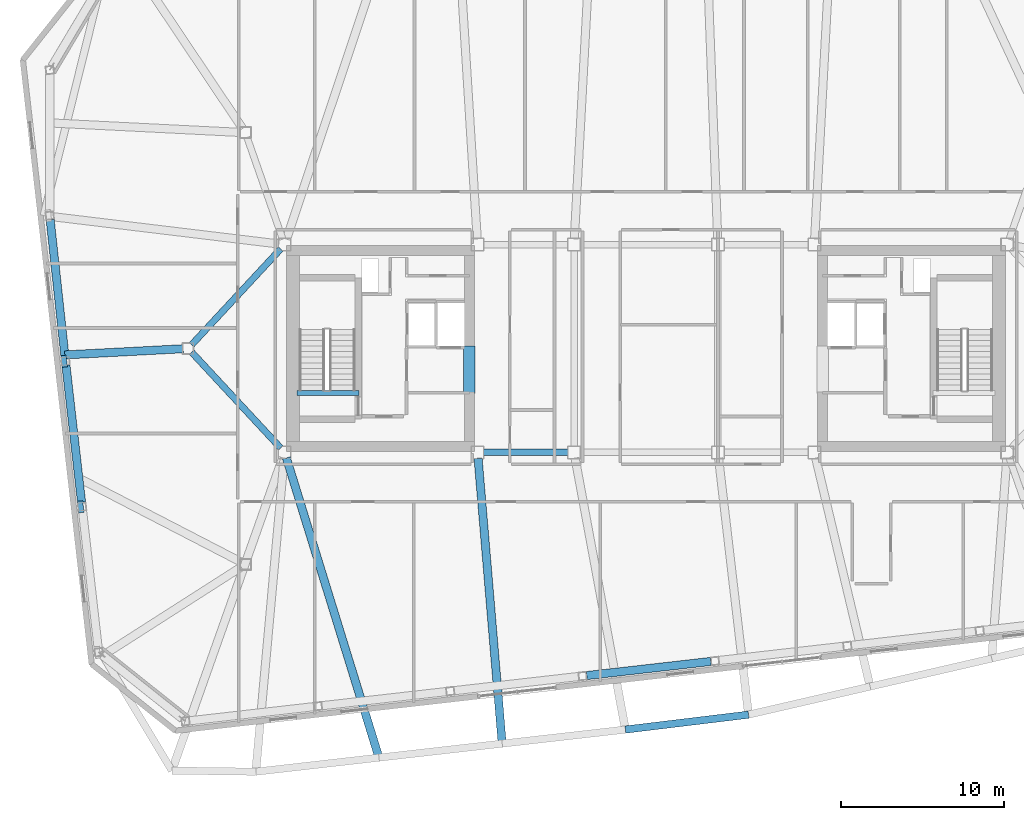
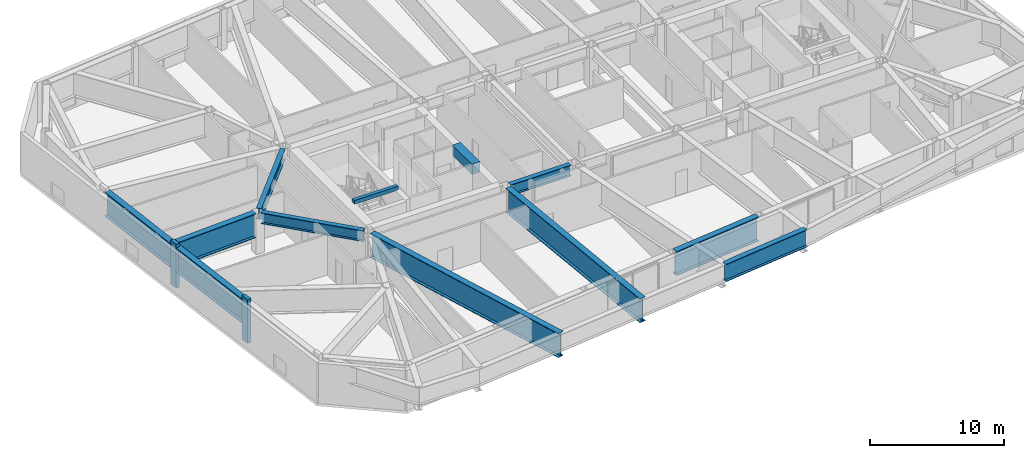
# One storey, part 5 of 18: 12 beams, 2 members.
"""IFC4 building model written with IfcOpenShell, lengths in metres."""

from ifc_helpers import new_model, si_unit, direction, frame, origin, origin_2d, place, context, subcontext, project, spatial, rectangle, i_section, extrude, material, material_profile, profile_set, type_object, element, save


model = new_model("IFC4")

# Units and contexts
model_context = context("Model", 3, precision=1e-05, world=origin(), true_north=direction((0.0, 1.0)))
body_context = subcontext(model_context, "Body", "Model", "MODEL_VIEW")
ifc_project = project(units=[si_unit("LENGTHUNIT", "METRE"), si_unit("AREAUNIT", "SQUARE_METRE"), si_unit("VOLUMEUNIT", "CUBIC_METRE"), si_unit("PLANEANGLEUNIT", "RADIAN"), si_unit("MASSUNIT", "GRAM", prefix="KILO")], contexts=[model_context])

# Site, building, storey
site_placement = place(None, origin())
site = spatial("IfcSite", under=ifc_project, at=site_placement, CompositionType="ELEMENT")
building_placement = place(site_placement, origin())
building = spatial("IfcBuilding", under=site, at=building_placement, Name="Tavrogorsk Clinical Tower", CompositionType="ELEMENT")
storey_placement = place(building_placement, frame((0.0, 0.0, 267.0)))
storey = spatial("IfcBuildingStorey", under=building, at=storey_placement, Name="L62", CompositionType="ELEMENT", Elevation=267.0)

# Beam
ifc_material_1 = material(Name="Concrete B80", Category="concrete")
ifc_material_profile_1 = material_profile(ifc_material_1, rectangle(XDim=0.699951171875, YDim=0.949951171875, at=origin_2d()), Name="RC-CB-700x950")
ifc_profile_set_1 = profile_set([ifc_material_profile_1], Name="Concrete B80")
beam_type_1 = type_object("IfcBeamType", Name="CouplingBeam_RC700x950", PredefinedType="LINTEL", material=ifc_profile_set_1)
beam_1_placement = place(storey_placement, frame((-10.800048828125, -2.75, 3.205078125), z_axis=(0.0, 1.0, 0.0), x_axis=(-1.0, 0.0, 0.0)))
element("IfcBeam", 1, at=beam_1_placement, inside=storey, type_object=beam_type_1, Name="L62 Core West Coupling Beam", PredefinedType="LINTEL", context=body_context, shape_type="SweptSolid", body=[
    extrude(rectangle(XDim=0.699951171875, YDim=0.949951171875, at=origin_2d()), origin(), (0.0, 0.0, 1.0), 2.89990234375),
])

# Members
ifc_material_2 = material(Name="Precast concrete B45 with limestone cladding", Category="masonry")
ifc_material_profile_2 = material_profile(ifc_material_2, rectangle(XDim=0.320068359375, YDim=0.719970703125, at=origin_2d()), Name="LIMESTONE-FIN-320x720")
ifc_profile_set_2 = profile_set([ifc_material_profile_2], Name="Precast concrete B45 with limestone cladding")
member_type = type_object("IfcMemberType", Name="LimestonePleatFin_320x720", PredefinedType="USERDEFINED", material=ifc_profile_set_2)
for number, where, z_axis, x_axis, name in (
    (2, (-35.585205078125, -0.781005859375, 0.0), (0.0, 0.0, 1.0), (0.993571855677, 0.113203213768, 0.0), "L62 W Pleated Stone Fin 2"),
    (3, (-34.571044921875, -9.683349609375, 0.0), (0.0, 0.0, 1.0), (0.993571855677, 0.113203213768, 0.0), "L62 W Pleated Stone Fin 3"),
):
    element("IfcMember", number, at=place(storey_placement, frame(where, z_axis=z_axis, x_axis=x_axis)), inside=storey, type_object=member_type, Name=name, ObjectType="FIN", PredefinedType="USERDEFINED", context=body_context, shape_type="SweptSolid", body=[
        extrude(rectangle(XDim=0.320068359375, YDim=0.719970703125, at=origin_2d()), origin(), (0.0, 0.0, 1.0), 4.0),
    ])

# Beams
ifc_material_3 = material(Name="Concrete B60", Category="concrete")
ifc_material_profile_3 = material_profile(ifc_material_3, rectangle(XDim=0.300048828125, YDim=0.35009765625, at=origin_2d()), Name="RC-SHB-300x350")
ifc_profile_set_3 = profile_set([ifc_material_profile_3], Name="Concrete B60")
beam_type_2 = type_object("IfcBeamType", Name="StairHeaderBeam_RC300x350", PredefinedType="BEAM", material=ifc_profile_set_3)
beam_2_placement = place(storey_placement, frame((-21.35009765625, -2.719970703125, 3.824951171875), z_axis=(1.0, 0.0, 0.0), x_axis=(0.0, 1.0, 0.0)))
element("IfcBeam", 4, at=beam_2_placement, inside=storey, type_object=beam_type_2, Name="L63 ST-W Landing Header Beam", PredefinedType="BEAM", context=body_context, shape_type="SweptSolid", body=[
    extrude(rectangle(XDim=0.300048828125, YDim=0.35009765625, at=origin_2d()), origin(), (0.0, 0.0, 1.0), 3.800048828125),
])
ifc_material_4 = material(Name="Structural steel S440", Category="steel")
ifc_material_profile_4 = material_profile(ifc_material_4, i_section(OverallWidth=0.39990234375, OverallDepth=1.0, WebThickness=0.028076171875, FlangeThickness=0.044921875, at=origin_2d()), Name="DK-1000x400x28x45")
ifc_profile_set_4 = profile_set([ifc_material_profile_4], Name="Structural steel S440")
beam_type_3 = type_object("IfcBeamType", Name="TransferGirder_DK1000", PredefinedType="USERDEFINED", material=ifc_profile_set_4)
beam_3_placement = place(storey_placement, frame((-9.93994140625, -6.35009765625, 3.179931640625), z_axis=(1.0, 0.0, 0.0), x_axis=(0.0, 1.0, 0.0)))
element("IfcBeam", 5, at=beam_3_placement, inside=storey, type_object=beam_type_3, Name="L62 Primary Spine Girder MG-01", ObjectType="GIRDER", PredefinedType="USERDEFINED", context=body_context, shape_type="SweptSolid", body=[
    extrude(i_section(OverallWidth=0.39990234375, OverallDepth=1.0, WebThickness=0.028076171875, FlangeThickness=0.044921875, at=origin_2d()), origin(), (0.0, 0.0, 1.0), 5.179931640625),
])
for number, where, z_axis, x_axis, name in (
    (6, (-27.7890625, -0.22705078125, 3.179931640625), (0.680684060959, -0.732577101168, 0.0), (0.732577101168, 0.680684060959, 0.0), "L62 Spine Link Girder OPG-5"),
    (7, (-27.7890625, 0.22705078125, 3.179931640625), (0.680684060959, 0.732577101168, 0.0), (-0.732577101168, 0.680684060959, 0.0), "L62 Spine Link Girder OPG-6"),
):
    element("IfcBeam", number, at=place(storey_placement, frame(where, z_axis=z_axis, x_axis=x_axis)), inside=storey, type_object=beam_type_3, Name=name, ObjectType="GIRDER", PredefinedType="USERDEFINED", context=body_context, shape_type="SweptSolid", body=[
        extrude(i_section(OverallWidth=0.39990234375, OverallDepth=1.0, WebThickness=0.028076171875, FlangeThickness=0.044921875, at=origin_2d()), origin(), (0.0, 0.0, 1.0), 7.998046875),
    ])
ifc_material_5 = material(Name="Structural steel S440", Category="steel")
ifc_material_profile_5 = material_profile(ifc_material_5, i_section(OverallWidth=0.449951171875, OverallDepth=1.60009765625, WebThickness=0.031982421875, FlangeThickness=0.050048828125, at=origin_2d()), Name="DK-1600x450x32x50")
ifc_profile_set_5 = profile_set([ifc_material_profile_5], Name="Structural steel S440")
beam_type_4 = type_object("IfcBeamType", Name="TransferGirder_DK1600", PredefinedType="USERDEFINED", material=ifc_profile_set_5)
beam_4_placement = place(storey_placement, frame((-1.257568359375, -23.309814453125, 2.8798828125), z_axis=(0.992732500379, 0.120341940699, 0.0), x_axis=(-0.120341940699, 0.992732500379, 0.0)))
element("IfcBeam", 8, at=beam_4_placement, inside=storey, type_object=beam_type_4, Name="L63 Transfer Edge Girder S4-S5", ObjectType="GIRDER", PredefinedType="USERDEFINED", context=body_context, shape_type="SweptSolid", body=[
    extrude(i_section(OverallWidth=0.449951171875, OverallDepth=1.60009765625, WebThickness=0.031982421875, FlangeThickness=0.050048828125, at=origin_2d()), origin(), (0.0, 0.0, 1.0), 7.58544921875),
])
ifc_material_6 = material(Name="Structural steel S440", Category="steel")
ifc_material_profile_6 = material_profile(ifc_material_6, i_section(OverallWidth=0.5, OverallDepth=2.199951171875, WebThickness=0.035888671875, FlangeThickness=0.054931640625, at=origin_2d()), Name="DK-2200x500x36x55")
ifc_profile_set_6 = profile_set([ifc_material_profile_6], Name="Structural steel S440")
beam_type_5 = type_object("IfcBeamType", Name="TransferGirder_DK2200", PredefinedType="USERDEFINED", material=ifc_profile_set_6)
beam_5_placement = place(storey_placement, frame((-3.619873046875, -20.006103515625, 2.580078125), z_axis=(0.993568911788, 0.113229048956, 0.0), x_axis=(-0.113229048956, 0.993568911788, 0.0)))
element("IfcBeam", 9, at=beam_5_placement, inside=storey, type_object=beam_type_5, Name="L62 Perimeter Spandrel S4-S5", ObjectType="GIRDER", PredefinedType="USERDEFINED", context=body_context, shape_type="SweptSolid", body=[
    extrude(i_section(OverallWidth=0.5, OverallDepth=2.199951171875, WebThickness=0.035888671875, FlangeThickness=0.054931640625, at=origin_2d()), origin(), (0.0, 0.0, 1.0), 7.6328125),
])
beam_6_placement = place(storey_placement, frame((-36.442138671875, 7.8740234375, 2.580078125), z_axis=(0.107655746314, -0.994188231818, 0.0), x_axis=(0.994188231818, 0.107655746314, 0.0)))
element("IfcBeam", 10, at=beam_6_placement, inside=storey, type_object=beam_type_5, Name="L62 Perimeter Spandrel W2-W3", ObjectType="GIRDER", PredefinedType="USERDEFINED", context=body_context, shape_type="SweptSolid", body=[
    extrude(i_section(OverallWidth=0.5, OverallDepth=2.199951171875, WebThickness=0.035888671875, FlangeThickness=0.054931640625, at=origin_2d()), origin(), (0.0, 0.0, 1.0), 8.4384765625),
])
beam_7_placement = place(storey_placement, frame((-35.4765625, -1.0283203125, 2.580078125), z_axis=(0.113195129234, -0.99357277676, 0.0), x_axis=(0.99357277676, 0.113195129234, 0.0)))
element("IfcBeam", 11, at=beam_7_placement, inside=storey, type_object=beam_type_5, Name="L62 Perimeter Spandrel W3-W4", ObjectType="GIRDER", PredefinedType="USERDEFINED", context=body_context, shape_type="SweptSolid", body=[
    extrude(i_section(OverallWidth=0.5, OverallDepth=2.199951171875, WebThickness=0.035888671875, FlangeThickness=0.054931640625, at=origin_2d()), origin(), (0.0, 0.0, 1.0), 8.44384765625),
])
beam_8_placement = place(storey_placement, frame((-21.99365234375, -6.69384765625, 2.580078125), z_axis=(0.295148738704, -0.95545131851, 0.0), x_axis=(0.95545131851, 0.295148738704, 0.0)))
element("IfcBeam", 12, at=beam_8_placement, inside=storey, type_object=beam_type_5, Name="L63 Block Transfer Girder S2", ObjectType="GIRDER", PredefinedType="USERDEFINED", context=body_context, shape_type="SweptSolid", body=[
    extrude(i_section(OverallWidth=0.5, OverallDepth=2.199951171875, WebThickness=0.035888671875, FlangeThickness=0.054931640625, at=origin_2d()), origin(), (0.0, 0.0, 1.0), 19.18798828125),
])
beam_9_placement = place(storey_placement, frame((-10.269775390625, -6.708740234375, 2.580078125), z_axis=(0.084227357496, -0.996446562666, 0.0), x_axis=(0.996446562666, 0.084227357496, 0.0)))
element("IfcBeam", 13, at=beam_9_placement, inside=storey, type_object=beam_type_5, Name="L63 Block Transfer Girder S3", ObjectType="GIRDER", PredefinedType="USERDEFINED", context=body_context, shape_type="SweptSolid", body=[
    extrude(i_section(OverallWidth=0.5, OverallDepth=2.199951171875, WebThickness=0.035888671875, FlangeThickness=0.054931640625, at=origin_2d()), origin(), (0.0, 0.0, 1.0), 17.52197265625),
])
beam_10_placement = place(storey_placement, frame((-28.3095703125, -0.01611328125, 2.580078125), z_axis=(-0.998641088829, -0.052115023763, 0.0), x_axis=(0.052115023763, -0.998641088829, 0.0)))
element("IfcBeam", 14, at=beam_10_placement, inside=storey, type_object=beam_type_5, Name="L63 Block Transfer Girder W2", ObjectType="GIRDER", PredefinedType="USERDEFINED", context=body_context, shape_type="SweptSolid", body=[
    extrude(i_section(OverallWidth=0.5, OverallDepth=2.199951171875, WebThickness=0.035888671875, FlangeThickness=0.054931640625, at=origin_2d()), origin(), (0.0, 0.0, 1.0), 7.2470703125),
])

save(model, "model.ifc")
